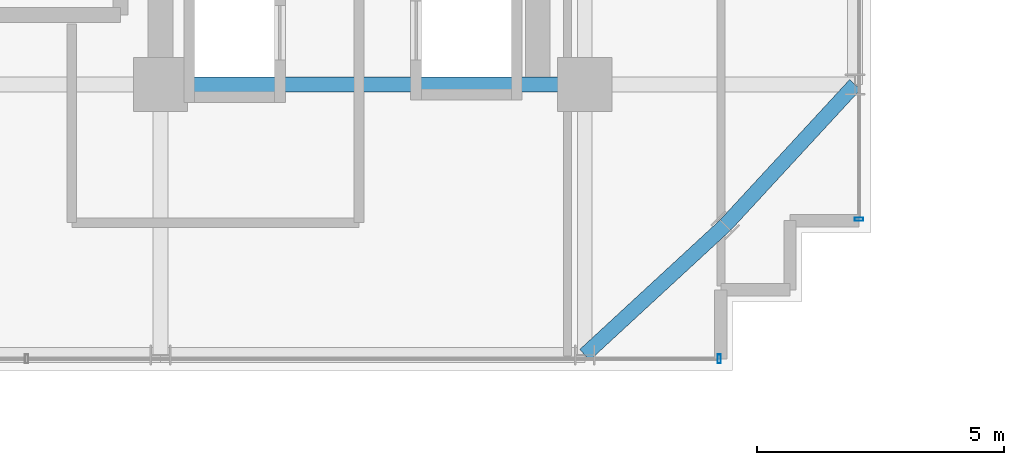
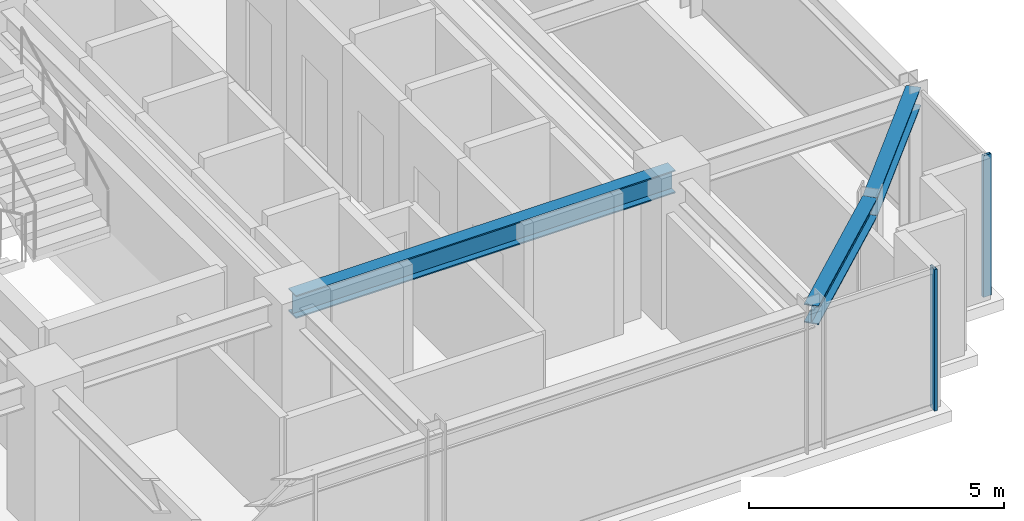
# One storey, part 9 of 31: 3 beams, 2 members, 2 elements without a shape of their own.
"""IFC4 building model written with IfcOpenShell, lengths in metres."""

import ifcopenshell
import ifcopenshell.guid

model = None  # the IFC model being written
_history = None  # IfcOwnerHistory: only IFC2X3 demands one
_inside = {}  # id of a spatial element -> (the spatial element, [elements in it])
_under = {}  # id of a project, library or spatial element -> (it, [spatial elements below it])
_declared = {}  # id of a project -> (the project, [libraries it declares])
_typed = {}  # id of a type object -> (the type object, [elements of that type])
_made_of = {}  # id of a material, layer set ... -> (it, [elements and type objects made of it])


def new_model(schema):
    """Start an empty IFC model of exactly this schema.

    Asked for "IFC4X3", IfcOpenShell would pick the latest addendum, in which some entities
    have other attributes; the version numbers below select the first issue.
    IFC2X3 requires an IfcOwnerHistory on every rooted entity: one is made here for all.
    """
    global model, _history
    if schema == "IFC4X3":
        model = ifcopenshell.file(schema_version=(4, 3, 0, 0))
    else:
        model = ifcopenshell.file(schema=schema)
    _inside.clear()
    _under.clear()
    _declared.clear()
    _typed.clear()
    _made_of.clear()
    _history = None
    if model.schema == "IFC2X3":
        org = make("IfcOrganization", Name="unknown")
        user = make(
            "IfcPersonAndOrganization",
            ThePerson=make("IfcPerson", FamilyName="unknown"),
            TheOrganization=org,
        )
        app = make(
            "IfcApplication",
            ApplicationDeveloper=org,
            Version="unknown",
            ApplicationFullName="unknown",
            ApplicationIdentifier="unknown",
        )
        _history = make(
            "IfcOwnerHistory",
            OwningUser=user,
            OwningApplication=app,
            ChangeAction="ADDED",
            CreationDate=0,
        )
    return model


def make(cls, **values):
    """One entity of the class cls with the attributes given. An attribute that is None is left unset."""
    return model.create_entity(
        cls, **{name: value for name, value in values.items() if value is not None}
    )


def rooted(cls, **values):
    """An entity with a GlobalId (a new one), such as an element, a storey or a relation."""
    return make(cls, GlobalId=ifcopenshell.guid.new(), OwnerHistory=_history, **values)


def si_unit(unit_type, name, prefix=None):
    """IfcSIUnit, for example si_unit("LENGTHUNIT", "METRE", prefix="MILLI")."""
    return make("IfcSIUnit", UnitType=unit_type, Prefix=prefix, Name=name)


def assignment(units):
    """IfcUnitAssignment: the units of a project."""
    return None if units is None else make("IfcUnitAssignment", Units=units)


def point(xyz):
    """IfcCartesianPoint."""
    return None if xyz is None else make("IfcCartesianPoint", Coordinates=xyz)


def direction(xyz):
    """IfcDirection."""
    return None if xyz is None else make("IfcDirection", DirectionRatios=xyz)


def frame(location, z_axis=None, x_axis=None):
    """IfcAxis2Placement3D, a coordinate frame: its origin and axes. An axis left out is left unset."""
    return make(
        "IfcAxis2Placement3D",
        Location=point(location),
        Axis=direction(z_axis),
        RefDirection=direction(x_axis),
    )


def frame_2d(location, x_axis=None):
    """IfcAxis2Placement2D, a coordinate frame in the plane: its origin and x axis."""
    return make(
        "IfcAxis2Placement2D", Location=point(location), RefDirection=direction(x_axis)
    )


def origin():
    """The frame at (0, 0, 0) with its axes left unset."""
    return frame((0.0, 0.0, 0.0))


def origin_2d():
    """The frame at (0, 0) in the plane with its x axis left unset."""
    return frame_2d((0.0, 0.0))


def place(relative_to, where):
    """IfcLocalPlacement: puts the frame where relative to a parent placement (None: the world)."""
    return make(
        "IfcLocalPlacement", PlacementRelTo=relative_to, RelativePlacement=where
    )


def context(
    kind, dimensions, precision=None, world=None, true_north=None, identifier=None
):
    """IfcGeometricRepresentationContext, for example the 3D "Model" context."""
    return make(
        "IfcGeometricRepresentationContext",
        ContextIdentifier=identifier,
        ContextType=kind,
        CoordinateSpaceDimension=dimensions,
        Precision=precision,
        WorldCoordinateSystem=world,
        TrueNorth=true_north,
    )


def subcontext(parent, identifier, kind, view, scale=None):
    """IfcGeometricRepresentationSubContext, for example "Body" below "Model"."""
    return make(
        "IfcGeometricRepresentationSubContext",
        ContextIdentifier=identifier,
        ContextType=kind,
        ParentContext=parent,
        TargetScale=scale,
        TargetView=view,
    )


def project(units=None, contexts=None):
    """IfcProject with its units and contexts."""
    return rooted(
        "IfcProject",
        Name="project",
        RepresentationContexts=contexts,
        UnitsInContext=assignment(units),
    )


def spatial(cls, under=None, at=None, **own):
    """A site, building, storey or space (cls), placed at a placement, below another one or the project."""
    s = rooted(cls, ObjectPlacement=at, **own)
    if under is not None:
        _under.setdefault(under.id(), (under, []))[1].append(s)
    return s


def profile(cls, at=None, kind="AREA", **sizes):
    """A parametric profile (cls). Its sizes go by their IFC names, for example OverallWidth=200.0."""
    return make(cls, ProfileType=kind, Position=at, **sizes)


def hollow_rectangle(**sizes):
    """IfcRectangleHollowProfileDef."""
    return profile("IfcRectangleHollowProfileDef", **sizes)


def i_section(**sizes):
    """IfcIShapeProfileDef."""
    return profile("IfcIShapeProfileDef", **sizes)


def extrude(swept, where, along, depth):
    """IfcExtrudedAreaSolid: the profile swept, set in the frame where, extruded along a direction by depth."""
    return make(
        "IfcExtrudedAreaSolid",
        SweptArea=swept,
        Position=where,
        ExtrudedDirection=direction(along),
        Depth=depth,
    )


def shape(context_of_items, identifier, shape_type, items):
    """IfcShapeRepresentation: the items that make up one representation, for example the "Body"."""
    return make(
        "IfcShapeRepresentation",
        ContextOfItems=context_of_items,
        RepresentationIdentifier=identifier,
        RepresentationType=shape_type,
        Items=items,
    )


def source(mapping_origin, context_of_items, identifier, shape_type, items):
    """IfcRepresentationMap: a shape defined once, which mapped items show again and again."""
    return make(
        "IfcRepresentationMap",
        MappingOrigin=mapping_origin,
        MappedRepresentation=shape(context_of_items, identifier, shape_type, items),
    )


def transform(
    local_origin,
    x_axis=None,
    y_axis=None,
    z_axis=None,
    scale=None,
    scale2=None,
    scale3=None,
    uniform=True,
):
    """IfcCartesianTransformationOperator3D, or its non-uniform kind. x_axis, y_axis, z_axis: its Axis1, 2, 3."""
    if uniform:
        return make(
            "IfcCartesianTransformationOperator3D",
            Axis1=direction(x_axis),
            Axis2=direction(y_axis),
            LocalOrigin=point(local_origin),
            Scale=scale,
            Axis3=direction(z_axis),
        )
    return make(
        "IfcCartesianTransformationOperator3DnonUniform",
        Axis1=direction(x_axis),
        Axis2=direction(y_axis),
        LocalOrigin=point(local_origin),
        Scale=scale,
        Axis3=direction(z_axis),
        Scale2=scale2,
        Scale3=scale3,
    )


def mapped(mapping_source, mapping_target):
    """IfcMappedItem: shows the shape of a source again, moved by a transform."""
    return make(
        "IfcMappedItem", MappingSource=mapping_source, MappingTarget=mapping_target
    )


def material(Name=None, Category=None):
    """IfcMaterial."""
    return make("IfcMaterial", Name=Name, Category=Category)


def material_profile(
    of_material, cross_section, Name=None, Category=None, Priority=None
):
    """IfcMaterialProfile: a cross section and its material."""
    return make(
        "IfcMaterialProfile",
        Name=Name,
        Material=of_material,
        Profile=cross_section,
        Priority=Priority,
        Category=Category,
    )


def profile_set(profiles, Name=None, composite=None):
    """IfcMaterialProfileSet."""
    return make(
        "IfcMaterialProfileSet",
        Name=Name,
        MaterialProfiles=profiles,
        CompositeProfile=composite,
    )


def made_of(thing, what):
    """Note that an element or type object is made of a material, layer set ...; save() writes the relation."""
    if what is not None:
        _made_of.setdefault(what.id(), (what, []))[1].append(thing)
    return thing


def type_object(cls, material=None, **own):
    """A type object (cls), such as IfcWallType, which elements share."""
    return made_of(rooted(cls, **own), material)


def element(
    cls,
    number,
    at=None,
    inside=None,
    cuts=None,
    type_object=None,
    material=None,
    context=None,
    identifier="Body",
    shape_type=None,
    held_by="IfcProductDefinitionShape",
    body=None,
    shapes=None,
    **own,
):
    """One element of the class cls, such as IfcWall. Its Tag is "e" and its number.

    at: its placement. inside: the storey or other place that contains it. cuts: it is an
    opening in that element (IfcRelVoidsElement). A single representation is given by context,
    identifier, shape_type and body (its items); several are given by shapes. held_by: the class
    of the entity that holds the representations. save() writes the other relations.
    """
    e = rooted(cls, Tag="e%d" % number, ObjectPlacement=at, **own)
    if body is not None:
        shapes = [shape(context, identifier, shape_type, body)]
    if shapes is not None:
        e.Representation = make(held_by, Representations=shapes)
    if inside is not None:
        _inside.setdefault(inside.id(), (inside, []))[1].append(e)
    if cuts is not None:
        rooted(
            "IfcRelVoidsElement", RelatingBuildingElement=cuts, RelatedOpeningElement=e
        )
    if type_object is not None:
        _typed.setdefault(type_object.id(), (type_object, []))[1].append(e)
    return made_of(e, material)


def aggregate(whole, parts):
    """IfcRelAggregates: a whole, such as a stair, and the parts it consists of."""
    return rooted("IfcRelAggregates", RelatingObject=whole, RelatedObjects=parts)


def save(model, path):
    """Write the relations noted so far, then the file.

    IfcRelAggregates (storeys below a building ...), IfcRelContainedInSpatialStructure (elements
    in a storey), IfcRelDefinesByType, IfcRelAssociatesMaterial and IfcRelDeclares: one each for
    every whole, place, type object, material and project.
    """
    for whole, parts in _under.values():
        aggregate(whole, parts)
    for where, things in _inside.values():
        rooted(
            "IfcRelContainedInSpatialStructure",
            RelatedElements=things,
            RelatingStructure=where,
        )
    for kind, things in _typed.values():
        rooted("IfcRelDefinesByType", RelatedObjects=things, RelatingType=kind)
    for what, things in _made_of.values():
        rooted("IfcRelAssociatesMaterial", RelatedObjects=things, RelatingMaterial=what)
    for by, libraries in _declared.values():
        rooted("IfcRelDeclares", RelatingContext=by, RelatedDefinitions=libraries)
    model.write(path)


model = new_model("IFC4")

# Units and contexts
model_context = context("Model", 3, precision=1e-05, world=origin(), true_north=direction((0.0, 1.0)))
body_context = subcontext(model_context, "Body", "Model", "MODEL_VIEW")
ifc_project = project(units=[si_unit("LENGTHUNIT", "METRE"), si_unit("AREAUNIT", "SQUARE_METRE"), si_unit("VOLUMEUNIT", "CUBIC_METRE"), si_unit("PLANEANGLEUNIT", "RADIAN"), si_unit("MASSUNIT", "GRAM", prefix="KILO")], contexts=[model_context])

# Site, building, storey
site_placement = place(None, origin())
site = spatial("IfcSite", under=ifc_project, at=site_placement, CompositionType="ELEMENT")
building_placement = place(site_placement, origin())
building = spatial("IfcBuilding", under=site, at=building_placement, Name="Nahalor Promenade Grand Hotel", CompositionType="ELEMENT")
storey_placement = place(building_placement, frame((0.0, 0.0, 192.800048828125)))
storey = spatial("IfcBuildingStorey", under=building, at=storey_placement, Name="L49", CompositionType="ELEMENT", Elevation=192.800048828125)

# Beams
ifc_material_1 = material(Name="Steel S355JR", Category="steel")
ifc_material_profile_1 = material_profile(ifc_material_1, i_section(OverallWidth=0.3, OverallDepth=0.55, WebThickness=0.015, FlangeThickness=0.029, at=origin_2d()), Name="HEB 550")
ifc_profile_set_1 = profile_set([ifc_material_profile_1], Name="Steel S355JR")
beam_type_1 = type_object("IfcBeamType", Name="Beam-Girder-HEB550", PredefinedType="BEAM", material=ifc_profile_set_1)
shared_shape_1 = source(origin(), body_context, "Body", "SweptSolid", [
    extrude(i_section(OverallWidth=0.3, OverallDepth=0.55, WebThickness=0.015, FlangeThickness=0.029, at=origin_2d()), origin(), (0.0, 0.0, 1.0), 8.60009765625),
])
beam_placement = place(storey_placement, frame((8.39990234375, -17.0, 3.114990234375), z_axis=(1.0, 0.0, 0.0), x_axis=(0.0, 1.0, 0.0)))
element("IfcBeam", 1, at=beam_placement, inside=storey, type_object=beam_type_1, Name="BM-L49-GX-0-5", PredefinedType="BEAM", context=body_context, shape_type="MappedRepresentation", body=[
    mapped(shared_shape_1, transform((0.0, 0.0, 0.0), scale=1.0)),
])
ifc_material_profile_2 = material_profile(ifc_material_1, i_section(OverallWidth=0.3, OverallDepth=0.45, WebThickness=0.014, FlangeThickness=0.026, at=origin_2d()), Name="HEB 450")
ifc_profile_set_2 = profile_set([ifc_material_profile_2], Name="Steel S355JR")
beam_type_2 = type_object("IfcBeamType", Name="Beam-Spandrel-HEB450", PredefinedType="SPANDREL", material=ifc_profile_set_2)
shared_shape_2 = source(origin(), body_context, "Body", "SweptSolid", [
    extrude(i_section(OverallWidth=0.3, OverallDepth=0.45, WebThickness=0.014, FlangeThickness=0.026, at=origin_2d()), origin(), (0.0, 0.0, 1.0), 3.878173828125),
])
for number, where, z_axis, x_axis, name in (
    (2, (17.0, -22.47998046875, 3.1650390625), (0.73492893846, 0.678144125843, 0.0), (-0.678144125843, 0.73492893846, 0.0), "BM-L49-SPC-SE-1"),
    (3, (19.85009765625, -19.85009765625, 3.1650390625), (0.678144125843, 0.73492893846, 0.0), (-0.73492893846, 0.678144125843, 0.0), "BM-L49-SPC-SE-2"),
):
    element("IfcBeam", number, at=place(storey_placement, frame(where, z_axis=z_axis, x_axis=x_axis)), inside=storey, type_object=beam_type_2, Name=name, PredefinedType="SPANDREL", context=body_context, shape_type="MappedRepresentation", body=[
        mapped(shared_shape_2, transform((0.0, 0.0, 0.0), scale=1.0)),
    ])

# Curtain wall, member
ifc_material_2 = material(Name="Anodised Bronze Aluminium EN AW-6063 T6", Category="aluminium")
curtain_wall_type = type_object("IfcCurtainWallType", Name="CW2 Typical Hotel Flush Bronze Unitised Curtain Wall", PredefinedType="USERDEFINED", material=ifc_material_2)
curtain_wall_1_placement = place(storey_placement, origin())
curtain_wall_1 = element("IfcCurtainWall", 4, at=curtain_wall_1_placement, inside=storey, type_object=curtain_wall_type, Name="L49 Curtain Wall CW-L49-S-3", ObjectType="UNITISED_CURTAIN_WALL", PredefinedType="USERDEFINED")
ifc_material_profile_3 = material_profile(ifc_material_2, hollow_rectangle(XDim=0.065, YDim=0.18, WallThickness=0.004, at=origin_2d()), Name="CWM 65x180x4")
ifc_profile_set_3 = profile_set([ifc_material_profile_3], Name="Anodised Bronze Aluminium EN AW-6063 T6")
member_type = type_object("IfcMemberType", Name="CWM2 Typical Bronze Mullion 65x180", PredefinedType="MULLION", material=ifc_profile_set_3)
shared_shape_3 = source(origin(), body_context, "Body", "SweptSolid", [
    extrude(hollow_rectangle(XDim=0.065, YDim=0.18, WallThickness=0.004, at=origin_2d()), origin(), (0.0, 0.0, 1.0), 3.389892578125),
])
member_1_placement = place(storey_placement, frame((19.7275390625, -22.56005859375, 0.0), z_axis=(0.0, 0.0, 1.0), x_axis=(1.0, 0.0, 0.0)))
member_1 = element("IfcMember", 5, at=member_1_placement, type_object=member_type, Name="CW-L49-S-3 Mullion 2", PredefinedType="MULLION", context=body_context, shape_type="MappedRepresentation", body=[
    mapped(shared_shape_3, transform((0.0, 0.0, 0.0), scale=1.0)),
])
aggregate(curtain_wall_1, [member_1])

curtain_wall_2_placement = place(storey_placement, origin())
curtain_wall_2 = element("IfcCurtainWall", 6, at=curtain_wall_2_placement, inside=storey, type_object=curtain_wall_type, Name="L49 Curtain Wall CW-L49-E-1", ObjectType="UNITISED_CURTAIN_WALL", PredefinedType="USERDEFINED")
member_2_placement = place(storey_placement, frame((22.56005859375, -19.7275390625, 0.0), z_axis=(0.0, 0.0, 1.0), x_axis=(0.0, 1.0, 0.0)))
member_2 = element("IfcMember", 7, at=member_2_placement, type_object=member_type, Name="CW-L49-E-1 Mullion 0", PredefinedType="MULLION", context=body_context, shape_type="MappedRepresentation", body=[
    mapped(shared_shape_3, transform((0.0, 0.0, 0.0), scale=1.0)),
])
aggregate(curtain_wall_2, [member_2])

save(model, "model.ifc")
